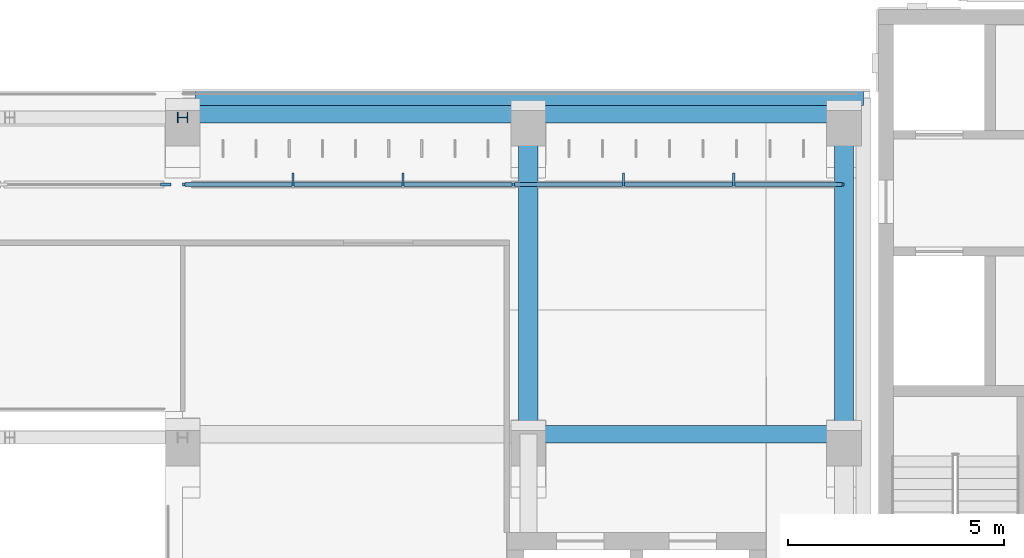
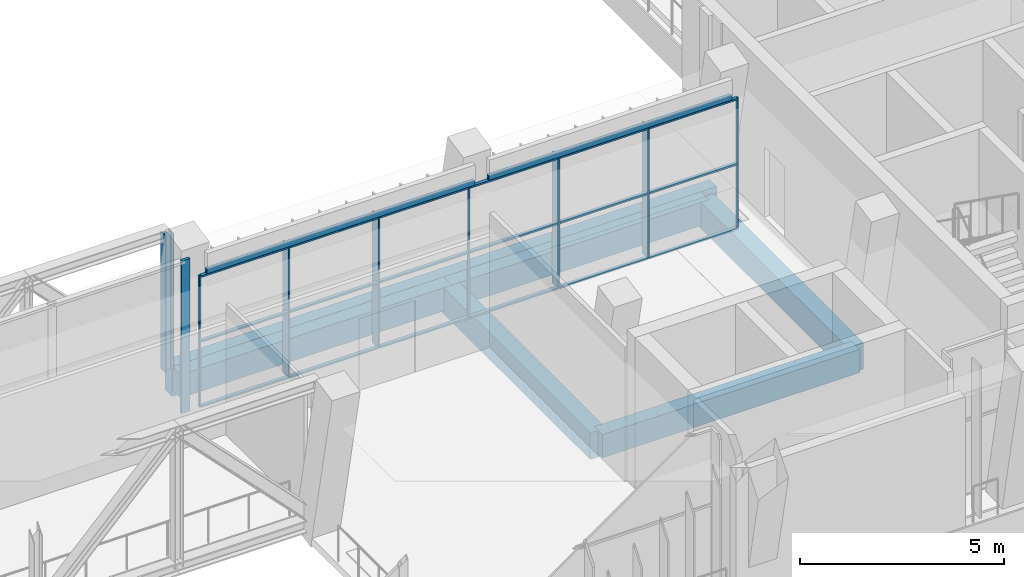
# One storey, part 55 of 141: 27 members, 8 beams, 2 elements without a shape of their own.
"""IFC4 building model written with IfcOpenShell, lengths in metres."""

from ifc_helpers import new_model, si_unit, direction, frame, origin, origin_2d, place, context, subcontext, project, spatial, rectangle, hollow_rectangle, i_section, extrude, material, material_profile, profile_set, type_object, element, aggregate, save


model = new_model("IFC4")

# Units and contexts
model_context = context("Model", 3, precision=1e-05, world=origin(), true_north=direction((0.0, 1.0)))
body_context = subcontext(model_context, "Body", "Model", "MODEL_VIEW")
ifc_project = project(units=[si_unit("LENGTHUNIT", "METRE"), si_unit("AREAUNIT", "SQUARE_METRE"), si_unit("VOLUMEUNIT", "CUBIC_METRE"), si_unit("PLANEANGLEUNIT", "RADIAN"), si_unit("MASSUNIT", "GRAM", prefix="KILO")], contexts=[model_context])

# Site, building, storey
site_placement = place(None, origin())
site = spatial("IfcSite", under=ifc_project, at=site_placement, CompositionType="ELEMENT")
building_placement = place(site_placement, origin())
building = spatial("IfcBuilding", under=site, at=building_placement, Name="Lantern Court Media Centre", CompositionType="ELEMENT")
storey_placement = place(building_placement, frame((0.0, 0.0, 9.60009765625)))
storey = spatial("IfcBuildingStorey", under=building, at=storey_placement, Name="L02", CompositionType="ELEMENT", Elevation=9.60009765625)

# Curtain wall, members
ifc_material_1 = material(Name="Curtain wall bay 2400")
curtain_wall_type_1 = type_object("IfcCurtainWallType", Name="Curtain wall bay 2400", PredefinedType="NOTDEFINED", material=ifc_material_1)
curtain_wall_1_placement = place(storey_placement, origin())
curtain_wall_1 = element("IfcCurtainWall", 1, at=curtain_wall_1_placement, inside=storey, type_object=curtain_wall_type_1, Name="Curtain wall S inner L02", PredefinedType="NOTDEFINED")
ifc_material_2 = material(Name="Anodised aluminium", Category="aluminium")
ifc_material_profile_1 = material_profile(ifc_material_2, rectangle(XDim=0.300048828125, YDim=0.050048828125, at=origin_2d()), Name="AL 50x300")
ifc_profile_set_1 = profile_set([ifc_material_profile_1], Name="Anodised aluminium")
member_type_1 = type_object("IfcMemberType", Name="Curtain wall mullion 50x300", PredefinedType="MULLION", material=ifc_profile_set_1)
member_1_placement = place(storey_placement, frame((66.550048828125, 59.969970703125, 0.0), z_axis=(0.0, 0.0, 1.0), x_axis=(0.0, 1.0, 0.0)))
member_1 = element("IfcMember", 2, at=member_1_placement, type_object=member_type_1, Name="CW2 mullion 2", PredefinedType="MULLION", context=body_context, shape_type="SweptSolid", body=[
    extrude(rectangle(XDim=0.300048828125, YDim=0.050048828125, at=origin_2d()), origin(), (0.0, 0.0, 1.0), 3.949951171875),
])
member_2_placement = place(storey_placement, frame((69.10009765625, 59.969970703125, 0.0), z_axis=(0.0, 0.0, 1.0), x_axis=(0.0, 1.0, 0.0)))
member_2 = element("IfcMember", 3, at=member_2_placement, type_object=member_type_1, Name="CW2 mullion 3", PredefinedType="MULLION", context=body_context, shape_type="SweptSolid", body=[
    extrude(rectangle(XDim=0.300048828125, YDim=0.050048828125, at=origin_2d()), origin(), (0.0, 0.0, 1.0), 3.949951171875),
])
member_3_placement = place(storey_placement, frame((74.199951171875, 59.969970703125, 0.0), z_axis=(0.0, 0.0, 1.0), x_axis=(0.0, 1.0, 0.0)))
member_3 = element("IfcMember", 4, at=member_3_placement, type_object=member_type_1, Name="CW2 mullion 5", PredefinedType="MULLION", context=body_context, shape_type="SweptSolid", body=[
    extrude(rectangle(XDim=0.300048828125, YDim=0.050048828125, at=origin_2d()), origin(), (0.0, 0.0, 1.0), 3.949951171875),
])
member_4_placement = place(storey_placement, frame((76.75, 59.969970703125, 0.0), z_axis=(0.0, 0.0, 1.0), x_axis=(0.0, 1.0, 0.0)))
member_4 = element("IfcMember", 5, at=member_4_placement, type_object=member_type_1, Name="CW2 mullion 6", PredefinedType="MULLION", context=body_context, shape_type="SweptSolid", body=[
    extrude(rectangle(XDim=0.300048828125, YDim=0.050048828125, at=origin_2d()), origin(), (0.0, 0.0, 1.0), 3.949951171875),
])
ifc_material_profile_2 = material_profile(ifc_material_2, rectangle(XDim=0.06005859375, YDim=0.050048828125, at=origin_2d()), Name="AL 50x60")
ifc_profile_set_2 = profile_set([ifc_material_profile_2], Name="Anodised aluminium")
member_type_2 = type_object("IfcMemberType", Name="Curtain wall mullion 50x60", PredefinedType="MULLION", material=ifc_profile_set_2)
member_5_placement = place(storey_placement, frame((64.02490234375, 59.85009765625, 0.0), z_axis=(0.0, 0.0, 1.0), x_axis=(0.0, 1.0, 0.0)))
member_5 = element("IfcMember", 6, at=member_5_placement, type_object=member_type_2, Name="CW2 mullion 1", PredefinedType="MULLION", context=body_context, shape_type="SweptSolid", body=[
    extrude(rectangle(XDim=0.06005859375, YDim=0.050048828125, at=origin_2d()), origin(), (0.0, 0.0, 1.0), 3.949951171875),
])
member_6_placement = place(storey_placement, frame((71.64990234375, 59.85009765625, 0.0), z_axis=(0.0, 0.0, 1.0), x_axis=(0.0, 1.0, 0.0)))
member_6 = element("IfcMember", 7, at=member_6_placement, type_object=member_type_2, Name="CW2 mullion 4", PredefinedType="MULLION", context=body_context, shape_type="SweptSolid", body=[
    extrude(rectangle(XDim=0.06005859375, YDim=0.050048828125, at=origin_2d()), origin(), (0.0, 0.0, 1.0), 3.949951171875),
])
member_7_placement = place(storey_placement, frame((79.27490234375, 59.85009765625, 0.0), z_axis=(0.0, 0.0, 1.0), x_axis=(0.0, 1.0, 0.0)))
member_7 = element("IfcMember", 8, at=member_7_placement, type_object=member_type_2, Name="CW2 mullion 7", PredefinedType="MULLION", context=body_context, shape_type="SweptSolid", body=[
    extrude(rectangle(XDim=0.06005859375, YDim=0.050048828125, at=origin_2d()), origin(), (0.0, 0.0, 1.0), 3.949951171875),
])

# Curtain wall, member
ifc_material_3 = material(Name="Curtain wall bay 4000")
curtain_wall_type_2 = type_object("IfcCurtainWallType", Name="Curtain wall bay 4000", PredefinedType="NOTDEFINED", material=ifc_material_3)
curtain_wall_2_placement = place(storey_placement, origin())
curtain_wall_2 = element("IfcCurtainWall", 9, at=curtain_wall_2_placement, inside=storey, type_object=curtain_wall_type_2, Name="Curtain wall S inner L02", PredefinedType="NOTDEFINED")
ifc_material_profile_3 = material_profile(ifc_material_2, rectangle(XDim=0.080078125, YDim=0.239990234375, at=origin_2d()), Name="AL 80x240")
ifc_profile_set_3 = profile_set([ifc_material_profile_3], Name="Anodised aluminium")
member_type_3 = type_object("IfcMemberType", Name="Curtain wall mullion 80x240", PredefinedType="MULLION", material=ifc_profile_set_3)
member_8_placement = place(storey_placement, frame((63.610107421875, 59.85009765625, 0.0), z_axis=(0.0, 0.0, 1.0), x_axis=(0.0, 1.0, 0.0)))
member_8 = element("IfcMember", 10, at=member_8_placement, type_object=member_type_3, Name="CW3 mullion 3", PredefinedType="MULLION", context=body_context, shape_type="SweptSolid", body=[
    extrude(rectangle(XDim=0.080078125, YDim=0.239990234375, at=origin_2d()), origin(), (0.0, 0.0, 1.0), 4.579833984375),
])
aggregate(curtain_wall_2, [member_8])

# Member
ifc_material_profile_4 = material_profile(ifc_material_2, rectangle(XDim=0.10009765625, YDim=0.050048828125, at=origin_2d()), Name="AL 50x100")
ifc_profile_set_4 = profile_set([ifc_material_profile_4], Name="Anodised aluminium")
member_type_4 = type_object("IfcMemberType", Name="Curtain wall transom 100x50", PredefinedType="USERDEFINED", material=ifc_profile_set_4)
member_9_placement = place(storey_placement, frame((64.050048828125, 59.85009765625, 0.02490234375), z_axis=(1.0, 0.0, 0.0), x_axis=(0.0, 1.0, 0.0)))
member_9 = element("IfcMember", 11, at=member_9_placement, type_object=member_type_4, Name="CW2 transom 1.1", ObjectType="TRANSOM", PredefinedType="USERDEFINED", context=body_context, shape_type="SweptSolid", body=[
    extrude(rectangle(XDim=0.10009765625, YDim=0.050048828125, at=origin_2d()), origin(), (0.0, 0.0, 1.0), 2.474853515625),
])

member_10_placement = place(storey_placement, frame((64.050048828125, 59.85009765625, 1.974853515625), z_axis=(1.0, 0.0, 0.0), x_axis=(0.0, 1.0, 0.0)))
member_10 = element("IfcMember", 12, at=member_10_placement, type_object=member_type_4, Name="CW2 transom 1.2", ObjectType="TRANSOM", PredefinedType="USERDEFINED", context=body_context, shape_type="SweptSolid", body=[
    extrude(rectangle(XDim=0.10009765625, YDim=0.050048828125, at=origin_2d()), origin(), (0.0, 0.0, 1.0), 2.474853515625),
])

member_11_placement = place(storey_placement, frame((64.050048828125, 59.85009765625, 3.9248046875), z_axis=(1.0, 0.0, 0.0), x_axis=(0.0, 1.0, 0.0)))
member_11 = element("IfcMember", 13, at=member_11_placement, type_object=member_type_4, Name="CW2 transom 1.3", ObjectType="TRANSOM", PredefinedType="USERDEFINED", context=body_context, shape_type="SweptSolid", body=[
    extrude(rectangle(XDim=0.10009765625, YDim=0.050048828125, at=origin_2d()), origin(), (0.0, 0.0, 1.0), 2.474853515625),
])

member_12_placement = place(storey_placement, frame((66.574951171875, 59.85009765625, 0.02490234375), z_axis=(1.0, 0.0, 0.0), x_axis=(0.0, 1.0, 0.0)))
member_12 = element("IfcMember", 14, at=member_12_placement, type_object=member_type_4, Name="CW2 transom 2.1", ObjectType="TRANSOM", PredefinedType="USERDEFINED", context=body_context, shape_type="SweptSolid", body=[
    extrude(rectangle(XDim=0.10009765625, YDim=0.050048828125, at=origin_2d()), origin(), (0.0, 0.0, 1.0), 2.5),
])

member_13_placement = place(storey_placement, frame((66.574951171875, 59.85009765625, 1.974853515625), z_axis=(1.0, 0.0, 0.0), x_axis=(0.0, 1.0, 0.0)))
member_13 = element("IfcMember", 15, at=member_13_placement, type_object=member_type_4, Name="CW2 transom 2.2", ObjectType="TRANSOM", PredefinedType="USERDEFINED", context=body_context, shape_type="SweptSolid", body=[
    extrude(rectangle(XDim=0.10009765625, YDim=0.050048828125, at=origin_2d()), origin(), (0.0, 0.0, 1.0), 2.5),
])

member_14_placement = place(storey_placement, frame((66.574951171875, 59.85009765625, 3.9248046875), z_axis=(1.0, 0.0, 0.0), x_axis=(0.0, 1.0, 0.0)))
member_14 = element("IfcMember", 16, at=member_14_placement, type_object=member_type_4, Name="CW2 transom 2.3", ObjectType="TRANSOM", PredefinedType="USERDEFINED", context=body_context, shape_type="SweptSolid", body=[
    extrude(rectangle(XDim=0.10009765625, YDim=0.050048828125, at=origin_2d()), origin(), (0.0, 0.0, 1.0), 2.5),
])

member_15_placement = place(storey_placement, frame((69.125, 59.85009765625, 0.02490234375), z_axis=(1.0, 0.0, 0.0), x_axis=(0.0, 1.0, 0.0)))
member_15 = element("IfcMember", 17, at=member_15_placement, type_object=member_type_4, Name="CW2 transom 3.1", ObjectType="TRANSOM", PredefinedType="USERDEFINED", context=body_context, shape_type="SweptSolid", body=[
    extrude(rectangle(XDim=0.10009765625, YDim=0.050048828125, at=origin_2d()), origin(), (0.0, 0.0, 1.0), 2.5),
])

member_16_placement = place(storey_placement, frame((69.125, 59.85009765625, 1.974853515625), z_axis=(1.0, 0.0, 0.0), x_axis=(0.0, 1.0, 0.0)))
member_16 = element("IfcMember", 18, at=member_16_placement, type_object=member_type_4, Name="CW2 transom 3.2", ObjectType="TRANSOM", PredefinedType="USERDEFINED", context=body_context, shape_type="SweptSolid", body=[
    extrude(rectangle(XDim=0.10009765625, YDim=0.050048828125, at=origin_2d()), origin(), (0.0, 0.0, 1.0), 2.5),
])

member_17_placement = place(storey_placement, frame((69.125, 59.85009765625, 3.9248046875), z_axis=(1.0, 0.0, 0.0), x_axis=(0.0, 1.0, 0.0)))
member_17 = element("IfcMember", 19, at=member_17_placement, type_object=member_type_4, Name="CW2 transom 3.3", ObjectType="TRANSOM", PredefinedType="USERDEFINED", context=body_context, shape_type="SweptSolid", body=[
    extrude(rectangle(XDim=0.10009765625, YDim=0.050048828125, at=origin_2d()), origin(), (0.0, 0.0, 1.0), 2.5),
])

member_18_placement = place(storey_placement, frame((71.675048828125, 59.85009765625, 0.02490234375), z_axis=(1.0, 0.0, 0.0), x_axis=(0.0, 1.0, 0.0)))
member_18 = element("IfcMember", 20, at=member_18_placement, type_object=member_type_4, Name="CW2 transom 4.1", ObjectType="TRANSOM", PredefinedType="USERDEFINED", context=body_context, shape_type="SweptSolid", body=[
    extrude(rectangle(XDim=0.10009765625, YDim=0.050048828125, at=origin_2d()), origin(), (0.0, 0.0, 1.0), 2.5),
])

member_19_placement = place(storey_placement, frame((71.675048828125, 59.85009765625, 1.974853515625), z_axis=(1.0, 0.0, 0.0), x_axis=(0.0, 1.0, 0.0)))
member_19 = element("IfcMember", 21, at=member_19_placement, type_object=member_type_4, Name="CW2 transom 4.2", ObjectType="TRANSOM", PredefinedType="USERDEFINED", context=body_context, shape_type="SweptSolid", body=[
    extrude(rectangle(XDim=0.10009765625, YDim=0.050048828125, at=origin_2d()), origin(), (0.0, 0.0, 1.0), 2.5),
])

member_20_placement = place(storey_placement, frame((71.675048828125, 59.85009765625, 3.9248046875), z_axis=(1.0, 0.0, 0.0), x_axis=(0.0, 1.0, 0.0)))
member_20 = element("IfcMember", 22, at=member_20_placement, type_object=member_type_4, Name="CW2 transom 4.3", ObjectType="TRANSOM", PredefinedType="USERDEFINED", context=body_context, shape_type="SweptSolid", body=[
    extrude(rectangle(XDim=0.10009765625, YDim=0.050048828125, at=origin_2d()), origin(), (0.0, 0.0, 1.0), 2.5),
])

member_21_placement = place(storey_placement, frame((74.22509765625, 59.85009765625, 0.02490234375), z_axis=(1.0, 0.0, 0.0), x_axis=(0.0, 1.0, 0.0)))
member_21 = element("IfcMember", 23, at=member_21_placement, type_object=member_type_4, Name="CW2 transom 5.1", ObjectType="TRANSOM", PredefinedType="USERDEFINED", context=body_context, shape_type="SweptSolid", body=[
    extrude(rectangle(XDim=0.10009765625, YDim=0.050048828125, at=origin_2d()), origin(), (0.0, 0.0, 1.0), 2.5),
])

member_22_placement = place(storey_placement, frame((74.22509765625, 59.85009765625, 1.974853515625), z_axis=(1.0, 0.0, 0.0), x_axis=(0.0, 1.0, 0.0)))
member_22 = element("IfcMember", 24, at=member_22_placement, type_object=member_type_4, Name="CW2 transom 5.2", ObjectType="TRANSOM", PredefinedType="USERDEFINED", context=body_context, shape_type="SweptSolid", body=[
    extrude(rectangle(XDim=0.10009765625, YDim=0.050048828125, at=origin_2d()), origin(), (0.0, 0.0, 1.0), 2.5),
])

member_23_placement = place(storey_placement, frame((74.22509765625, 59.85009765625, 3.9248046875), z_axis=(1.0, 0.0, 0.0), x_axis=(0.0, 1.0, 0.0)))
member_23 = element("IfcMember", 25, at=member_23_placement, type_object=member_type_4, Name="CW2 transom 5.3", ObjectType="TRANSOM", PredefinedType="USERDEFINED", context=body_context, shape_type="SweptSolid", body=[
    extrude(rectangle(XDim=0.10009765625, YDim=0.050048828125, at=origin_2d()), origin(), (0.0, 0.0, 1.0), 2.5),
])

member_24_placement = place(storey_placement, frame((76.77490234375, 59.85009765625, 0.02490234375), z_axis=(1.0, 0.0, 0.0), x_axis=(0.0, 1.0, 0.0)))
member_24 = element("IfcMember", 26, at=member_24_placement, type_object=member_type_4, Name="CW2 transom 6.1", ObjectType="TRANSOM", PredefinedType="USERDEFINED", context=body_context, shape_type="SweptSolid", body=[
    extrude(rectangle(XDim=0.10009765625, YDim=0.050048828125, at=origin_2d()), origin(), (0.0, 0.0, 1.0), 2.47509765625),
])

member_25_placement = place(storey_placement, frame((76.77490234375, 59.85009765625, 1.974853515625), z_axis=(1.0, 0.0, 0.0), x_axis=(0.0, 1.0, 0.0)))
member_25 = element("IfcMember", 27, at=member_25_placement, type_object=member_type_4, Name="CW2 transom 6.2", ObjectType="TRANSOM", PredefinedType="USERDEFINED", context=body_context, shape_type="SweptSolid", body=[
    extrude(rectangle(XDim=0.10009765625, YDim=0.050048828125, at=origin_2d()), origin(), (0.0, 0.0, 1.0), 2.47509765625),
])

member_26_placement = place(storey_placement, frame((76.77490234375, 59.85009765625, 3.9248046875), z_axis=(1.0, 0.0, 0.0), x_axis=(0.0, 1.0, 0.0)))
member_26 = element("IfcMember", 28, at=member_26_placement, type_object=member_type_4, Name="CW2 transom 6.3", ObjectType="TRANSOM", PredefinedType="USERDEFINED", context=body_context, shape_type="SweptSolid", body=[
    extrude(rectangle(XDim=0.10009765625, YDim=0.050048828125, at=origin_2d()), origin(), (0.0, 0.0, 1.0), 2.47509765625),
])

aggregate(curtain_wall_1, [member_5, member_1, member_2, member_6, member_3, member_4, member_7, member_9, member_10, member_11, member_12, member_13, member_14, member_15, member_16, member_17, member_18, member_19, member_20, member_21, member_22, member_23, member_24, member_25, member_26])

ifc_material_4 = material(Name="Steel S355J2 (EN 10025-2)", Category="steel")
ifc_material_profile_5 = material_profile(ifc_material_4, i_section(OverallWidth=0.239990234375, OverallDepth=0.239990234375, WebThickness=0.010009765625, FlangeThickness=0.01708984375, FilletRadius=0.02099609375, at=origin_2d()), Name="HEB 240")
ifc_profile_set_5 = profile_set([ifc_material_profile_5], Name="Steel S355J2 (EN 10025-2)")
member_type_5 = type_object("IfcMemberType", Name="Entrance transfer truss vertical HEB 240", PredefinedType="POST", material=ifc_profile_set_5)
member_27_placement = place(storey_placement, frame((64.0, 61.39990234375, 0.1884765625), z_axis=(0.0, 0.0, 1.0), x_axis=(0.0, 1.0, 0.0)))
element("IfcMember", 29, at=member_27_placement, inside=storey, type_object=member_type_5, Name="Transfer truss 3 vertical 7", PredefinedType="POST", context=body_context, shape_type="SweptSolid", body=[
    extrude(i_section(OverallWidth=0.239990234375, OverallDepth=0.239990234375, WebThickness=0.010009765625, FlangeThickness=0.01708984375, FilletRadius=0.02099609375, at=origin_2d()), origin(), (0.0, 0.0, 1.0), 4.123046875),
])

# Beams
ifc_material_profile_6 = material_profile(ifc_material_4, hollow_rectangle(XDim=0.10009765625, YDim=0.14990234375, WallThickness=0.00634765625, InnerFilletRadius=0.00634765625, OuterFilletRadius=0.009521484375, at=origin_2d()), Name="Facade head lintel RHS 150x100x6.3")
ifc_profile_set_6 = profile_set([ifc_material_profile_6], Name="Steel S355J2 (EN 10025-2)")
beam_type_1 = type_object("IfcBeamType", Name="Facade head lintel RHS 150x100x6.3", PredefinedType="BEAM", material=ifc_profile_set_6)
beam_1_placement = place(storey_placement, frame((64.199951171875, 59.85009765625, 4.02490234375), z_axis=(1.0, 0.0, 0.0), x_axis=(0.0, 1.0, 0.0)))
element("IfcBeam", 30, at=beam_1_placement, inside=storey, type_object=beam_type_1, Name="Facade head lintel S L02", PredefinedType="BEAM", context=body_context, shape_type="SweptSolid", body=[
    extrude(hollow_rectangle(XDim=0.10009765625, YDim=0.14990234375, WallThickness=0.00634765625, InnerFilletRadius=0.00634765625, OuterFilletRadius=0.009521484375, at=origin_2d()), origin(), (0.0, 0.0, 1.0), 7.60009765625),
])
beam_2_placement = place(storey_placement, frame((72.199951171875, 59.85009765625, 4.02490234375), z_axis=(1.0, 0.0, 0.0), x_axis=(0.0, 1.0, 0.0)))
element("IfcBeam", 31, at=beam_2_placement, inside=storey, type_object=beam_type_1, Name="Facade head lintel S L02", PredefinedType="BEAM", context=body_context, shape_type="SweptSolid", body=[
    extrude(hollow_rectangle(XDim=0.10009765625, YDim=0.14990234375, WallThickness=0.00634765625, InnerFilletRadius=0.00634765625, OuterFilletRadius=0.009521484375, at=origin_2d()), origin(), (0.0, 0.0, 1.0), 6.900146484375),
])
ifc_material_5 = material(Name="Concrete C35", Category="concrete")
ifc_material_profile_7 = material_profile(ifc_material_5, rectangle(XDim=0.35009765625, YDim=0.89990234375, at=origin_2d()), Name="RC 350x900")
ifc_profile_set_7 = profile_set([ifc_material_profile_7], Name="Concrete C35")
beam_type_2 = type_object("IfcBeamType", Name="RC BEAM 350x900", PredefinedType="BEAM", material=ifc_profile_set_7)
beam_3_placement = place(storey_placement, frame((64.300048828125, 61.85009765625, -0.4501953125), z_axis=(1.0, 0.0, 0.0), x_axis=(0.0, 1.0, 0.0)))
element("IfcBeam", 32, at=beam_3_placement, inside=storey, type_object=beam_type_2, Name="EB-S-L02-B1", PredefinedType="BEAM", context=body_context, shape_type="SweptSolid", body=[
    extrude(rectangle(XDim=0.35009765625, YDim=0.89990234375, at=origin_2d()), origin(), (0.0, 0.0, 1.0), 15.449951171875),
])
ifc_material_profile_8 = material_profile(ifc_material_5, rectangle(XDim=0.39990234375, YDim=0.699951171875, at=origin_2d()), Name="RC 400x700")
ifc_profile_set_8 = profile_set([ifc_material_profile_8], Name="Concrete C35")
beam_type_3 = type_object("IfcBeamType", Name="RC BEAM 400x700", PredefinedType="BEAM", material=ifc_profile_set_8)
beam_4_placement = place(storey_placement, frame((72.0, 54.072998046875, -0.35009765625), z_axis=(1.0, 0.0, 0.0), x_axis=(0.0, 1.0, 0.0)))
element("IfcBeam", 33, at=beam_4_placement, inside=storey, type_object=beam_type_3, Name="LB-S-L02-1-6", PredefinedType="BEAM", context=body_context, shape_type="SweptSolid", body=[
    extrude(rectangle(XDim=0.39990234375, YDim=0.699951171875, at=origin_2d()), origin(), (0.0, 0.0, 1.0), 7.300048828125),
])
beam_5_placement = place(storey_placement, frame((64.300048828125, 61.472900390625, -0.35009765625), z_axis=(1.0, 0.0, 0.0), x_axis=(0.0, 1.0, 0.0)))
element("IfcBeam", 34, at=beam_5_placement, inside=storey, type_object=beam_type_3, Name="LB-S-L02-2-11", PredefinedType="BEAM", context=body_context, shape_type="SweptSolid", body=[
    extrude(rectangle(XDim=0.39990234375, YDim=0.699951171875, at=origin_2d()), origin(), (0.0, 0.0, 1.0), 7.699951171875),
])
beam_6_placement = place(storey_placement, frame((72.0, 61.472900390625, -0.35009765625), z_axis=(1.0, 0.0, 0.0), x_axis=(0.0, 1.0, 0.0)))
element("IfcBeam", 35, at=beam_6_placement, inside=storey, type_object=beam_type_3, Name="LB-S-L02-2-6", PredefinedType="BEAM", context=body_context, shape_type="SweptSolid", body=[
    extrude(rectangle(XDim=0.39990234375, YDim=0.699951171875, at=origin_2d()), origin(), (0.0, 0.0, 1.0), 7.300048828125),
])
ifc_material_profile_9 = material_profile(ifc_material_5, rectangle(XDim=0.449951171875, YDim=0.800048828125, at=origin_2d()), Name="RC 450x800")
ifc_profile_set_9 = profile_set([ifc_material_profile_9], Name="Concrete C35")
beam_type_4 = type_object("IfcBeamType", Name="RC BEAM 450x800", PredefinedType="BEAM", material=ifc_profile_set_9)
for number, where, z_axis, x_axis, name in (
    (36, (72.0, 54.083251953125, -0.400146484375), (0.0, 1.0, 0.0), (-1.0, 0.0, 0.0), "TB-S-L02-6-2"),
    (37, (79.300048828125, 54.083251953125, -0.400146484375), (0.0, 1.0, 0.0), (-1.0, 0.0, 0.0), "TB-S-L02-7-2"),
):
    element("IfcBeam", number, at=place(storey_placement, frame(where, z_axis=z_axis, x_axis=x_axis)), inside=storey, type_object=beam_type_4, Name=name, PredefinedType="BEAM", context=body_context, shape_type="SweptSolid", body=[
        extrude(rectangle(XDim=0.449951171875, YDim=0.800048828125, at=origin_2d()), origin(), (0.0, 0.0, 1.0), 7.400146484375),
    ])

save(model, "model.ifc")
